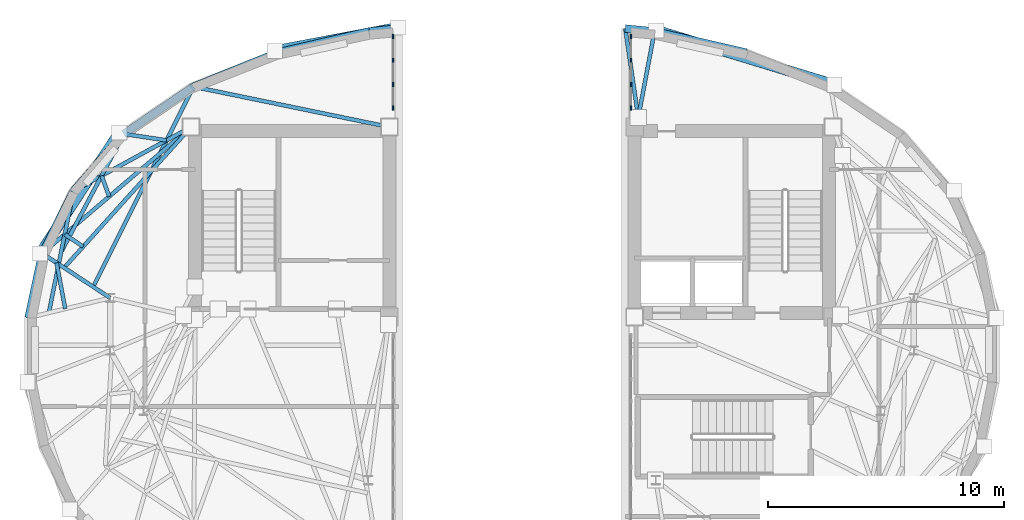
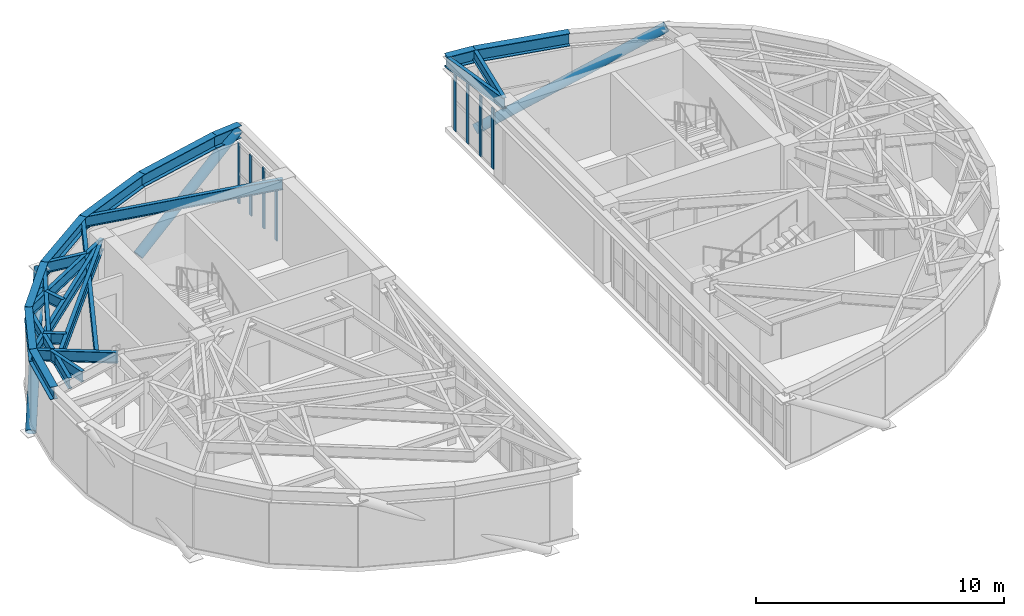
# One storey, part 4 of 13: 23 beams, 11 members, 2 elements without a shape of their own.
"""IFC4 building model written with IfcOpenShell, lengths in metres."""

from ifc_helpers import new_model, si_unit, direction, frame, origin, origin_2d, place, context, subcontext, project, spatial, rectangle, hollow_circle, i_section, extrude, material, layer, layer_set, material_profile, profile_set, type_object, element, aggregate, save


model = new_model("IFC4")

# Units and contexts
model_context = context("Model", 3, precision=1e-05, world=origin(), true_north=direction((0.0, 1.0)))
body_context = subcontext(model_context, "Body", "Model", "MODEL_VIEW")
ifc_project = project(units=[si_unit("LENGTHUNIT", "METRE"), si_unit("AREAUNIT", "SQUARE_METRE"), si_unit("VOLUMEUNIT", "CUBIC_METRE"), si_unit("PLANEANGLEUNIT", "RADIAN"), si_unit("MASSUNIT", "GRAM", prefix="KILO")], contexts=[model_context])

# Site, building, storey
site_placement = place(None, origin())
site = spatial("IfcSite", under=ifc_project, at=site_placement, CompositionType="ELEMENT")
building_placement = place(site_placement, origin())
building = spatial("IfcBuilding", under=site, at=building_placement, Name="Keldmark Tower", CompositionType="ELEMENT")
storey_placement = place(building_placement, frame((0.0, 0.0, 273.0)))
storey = spatial("IfcBuildingStorey", under=building, at=storey_placement, Name="L77", CompositionType="ELEMENT", Elevation=273.0)

# Members
ifc_material_1 = material(Name="Steel ASTM A572 Grade 50", Category="steel")
ifc_material_profile_1 = material_profile(ifc_material_1, hollow_circle(Radius=0.22509765625, WallThickness=0.02197265625, at=origin_2d()), Name="CHS450X22")
ifc_profile_set_1 = profile_set([ifc_material_profile_1], Name="Steel ASTM A572 Grade 50")
member_type_1 = type_object("IfcMemberType", Name="Crown Frame Brace CHS450X22", PredefinedType="USERDEFINED", material=ifc_profile_set_1)
member_1_placement = place(storey_placement, frame((6.11083984375, 13.546875, -0.449951171875), z_axis=(0.862009425212, -0.26306236092, 0.433287370129), x_axis=(0.291884229528, 0.956453656249, 0.0)))
element("IfcMember", 1, at=member_1_placement, inside=storey, type_object=member_type_1, Name="L77 Crown Frame Diagonal E00", ObjectType="CROWN FRAME", PredefinedType="USERDEFINED", context=body_context, shape_type="SweptSolid", body=[
    extrude(hollow_circle(Radius=0.22509765625, WallThickness=0.02197265625, at=origin_2d()), origin(), (0.0, 0.0, 1.0), 8.770263671875),
])
member_2_placement = place(storey_placement, frame((-19.99658203125, 4.092041015625, -0.449951171875), z_axis=(0.465706241681, 0.710802312588, 0.527141128046), x_axis=(-0.836456719746, 0.548032988051, 0.0)))
element("IfcMember", 2, at=member_2_placement, inside=storey, type_object=member_type_1, Name="L77 Crown Frame Diagonal W08", ObjectType="CROWN FRAME", PredefinedType="USERDEFINED", context=body_context, shape_type="SweptSolid", body=[
    extrude(hollow_circle(Radius=0.22509765625, WallThickness=0.02197265625, at=origin_2d()), origin(), (0.0, 0.0, 1.0), 7.208740234375),
])
member_3_placement = place(storey_placement, frame((-10.05078125, 12.676513671875, -0.449951171875), z_axis=(0.799038522357, 0.15130586281, 0.581931246514), x_axis=(-0.186053609317, 0.982539594347, 0.0)))
element("IfcMember", 3, at=member_3_placement, inside=storey, type_object=member_type_1, Name="L77 Crown Frame Diagonal W12", ObjectType="CROWN FRAME", PredefinedType="USERDEFINED", context=body_context, shape_type="SweptSolid", body=[
    extrude(hollow_circle(Radius=0.22509765625, WallThickness=0.02197265625, at=origin_2d()), origin(), (0.0, 0.0, 1.0), 6.530029296875),
])

# Curtain wall, members
ifc_material_2 = material(Name="Unitized Thermally Broken Aluminum and Triple Low-E Glazing", Category="aluminium")
ifc_layer = layer(ifc_material_2, 0.219970703125)
ifc_layer_set = layer_set([ifc_layer], Name="Unitized Thermally Broken Aluminum and Triple Low-E Glazing")
curtain_wall_type = type_object("IfcCurtainWallType", Name="Split-Top Crown Lantern Curtain Wall System", PredefinedType="NOTDEFINED", material=ifc_layer_set)
curtain_wall_1_placement = place(storey_placement, origin())
curtain_wall_1 = element("IfcCurtainWall", 4, at=curtain_wall_1_placement, inside=storey, type_object=curtain_wall_type, Name="L77 Split-Top Crown Lantern Curtain Wall System CW-L77-ES14-0", PredefinedType="NOTDEFINED")
ifc_material_3 = material(Name="Extruded Aluminum Alloy 6063-T6", Category="aluminium")
ifc_material_profile_2 = material_profile(ifc_material_3, rectangle(XDim=0.06005859375, YDim=0.179931640625, at=origin_2d()), Name="CWM60X180")
ifc_profile_set_2 = profile_set([ifc_material_profile_2], Name="Extruded Aluminum Alloy 6063-T6")
member_type_2 = type_object("IfcMemberType", Name="Curtain Wall Structural Mullion 60x180", PredefinedType="MULLION", material=ifc_profile_set_2)
member_4_placement = place(storey_placement, frame((5.0400390625, 13.281982421875, 0.0), z_axis=(0.0, 0.0, 1.0), x_axis=(1.0, 0.0, 0.0)))
member_4 = element("IfcMember", 5, at=member_4_placement, type_object=member_type_2, Name="CW mullion 1", PredefinedType="MULLION", context=body_context, shape_type="SweptSolid", body=[
    extrude(rectangle(XDim=0.06005859375, YDim=0.179931640625, at=origin_2d()), origin(), (0.0, 0.0, 1.0), 2.966064453125),
])
member_5_placement = place(storey_placement, frame((5.0400390625, 12.2841796875, 0.0), z_axis=(0.0, 0.0, 1.0), x_axis=(1.0, 0.0, 0.0)))
member_5 = element("IfcMember", 6, at=member_5_placement, type_object=member_type_2, Name="CW mullion 2", PredefinedType="MULLION", context=body_context, shape_type="SweptSolid", body=[
    extrude(rectangle(XDim=0.06005859375, YDim=0.179931640625, at=origin_2d()), origin(), (0.0, 0.0, 1.0), 2.966064453125),
])
member_6_placement = place(storey_placement, frame((5.0400390625, 11.25634765625, 0.0), z_axis=(0.0, 0.0, 1.0), x_axis=(1.0, 0.0, 0.0)))
member_6 = element("IfcMember", 7, at=member_6_placement, type_object=member_type_2, Name="CW mullion 3", PredefinedType="MULLION", context=body_context, shape_type="SweptSolid", body=[
    extrude(rectangle(XDim=0.06005859375, YDim=0.179931640625, at=origin_2d()), origin(), (0.0, 0.0, 1.0), 2.966064453125),
])
member_7_placement = place(storey_placement, frame((5.0400390625, 10.258544921875, 0.0), z_axis=(0.0, 0.0, 1.0), x_axis=(1.0, 0.0, 0.0)))
member_7 = element("IfcMember", 8, at=member_7_placement, type_object=member_type_2, Name="CW mullion 4", PredefinedType="MULLION", context=body_context, shape_type="SweptSolid", body=[
    extrude(rectangle(XDim=0.06005859375, YDim=0.179931640625, at=origin_2d()), origin(), (0.0, 0.0, 1.0), 2.966064453125),
])
aggregate(curtain_wall_1, [member_4, member_5, member_6, member_7])

curtain_wall_2_placement = place(storey_placement, origin())
curtain_wall_2 = element("IfcCurtainWall", 9, at=curtain_wall_2_placement, inside=storey, type_object=curtain_wall_type, Name="L77 Split-Top Crown Lantern Curtain Wall System CW-L77-WS14-1", PredefinedType="NOTDEFINED")
member_8_placement = place(storey_placement, frame((-5.0400390625, 10.258544921875, 0.0), z_axis=(0.0, 0.0, 1.0), x_axis=(-1.0, 0.0, 0.0)))
member_8 = element("IfcMember", 10, at=member_8_placement, type_object=member_type_2, Name="CW mullion 1", PredefinedType="MULLION", context=body_context, shape_type="SweptSolid", body=[
    extrude(rectangle(XDim=0.06005859375, YDim=0.179931640625, at=origin_2d()), origin(), (0.0, 0.0, 1.0), 2.966064453125),
])
member_9_placement = place(storey_placement, frame((-5.0400390625, 11.25634765625, 0.0), z_axis=(0.0, 0.0, 1.0), x_axis=(-1.0, 0.0, 0.0)))
member_9 = element("IfcMember", 11, at=member_9_placement, type_object=member_type_2, Name="CW mullion 2", PredefinedType="MULLION", context=body_context, shape_type="SweptSolid", body=[
    extrude(rectangle(XDim=0.06005859375, YDim=0.179931640625, at=origin_2d()), origin(), (0.0, 0.0, 1.0), 2.966064453125),
])
member_10_placement = place(storey_placement, frame((-5.0400390625, 12.2841796875, 0.0), z_axis=(0.0, 0.0, 1.0), x_axis=(-1.0, 0.0, 0.0)))
member_10 = element("IfcMember", 12, at=member_10_placement, type_object=member_type_2, Name="CW mullion 3", PredefinedType="MULLION", context=body_context, shape_type="SweptSolid", body=[
    extrude(rectangle(XDim=0.06005859375, YDim=0.179931640625, at=origin_2d()), origin(), (0.0, 0.0, 1.0), 2.966064453125),
])
member_11_placement = place(storey_placement, frame((-5.0400390625, 13.281982421875, 0.0), z_axis=(0.0, 0.0, 1.0), x_axis=(-1.0, 0.0, 0.0)))
member_11 = element("IfcMember", 13, at=member_11_placement, type_object=member_type_2, Name="CW mullion 4", PredefinedType="MULLION", context=body_context, shape_type="SweptSolid", body=[
    extrude(rectangle(XDim=0.06005859375, YDim=0.179931640625, at=origin_2d()), origin(), (0.0, 0.0, 1.0), 2.966064453125),
])
aggregate(curtain_wall_2, [member_8, member_9, member_10, member_11])

# Beams
ifc_material_4 = material(Name="Steel ASTM A992 Grade 50", Category="steel")
ifc_material_profile_3 = material_profile(ifc_material_4, i_section(OverallWidth=0.166015625, OverallDepth=0.529052734375, WebThickness=0.009765625, FlangeThickness=0.013671875, at=origin_2d()), Name="W21X50")
ifc_profile_set_3 = profile_set([ifc_material_profile_3], Name="Steel ASTM A992 Grade 50")
beam_type_1 = type_object("IfcBeamType", Name="Radial Tie Girder W21X50", PredefinedType="BEAM", material=ifc_profile_set_3)
beam_1_placement = place(storey_placement, frame((5.35009765625, 9.85009765625, 3.33544921875), z_axis=(0.185046281298, 0.982729807108, 0.0), x_axis=(-0.982729807108, 0.185046281298, 0.0)))
element("IfcBeam", 14, at=beam_1_placement, inside=storey, type_object=beam_type_1, Name="L77 East Crown Shear-Wall Bracket CRT-E01G", PredefinedType="BEAM", context=body_context, shape_type="SweptSolid", body=[
    extrude(i_section(OverallWidth=0.166015625, OverallDepth=0.529052734375, WebThickness=0.009765625, FlangeThickness=0.013671875, at=origin_2d()), origin(), (0.0, 0.0, 1.0), 3.71533203125),
])
beam_2_placement = place(storey_placement, frame((5.35009765625, 9.85009765625, 3.33544921875), z_axis=(-0.144244202861, 0.989542121358, 0.0), x_axis=(-0.989542121358, -0.144244202861, 0.0)))
element("IfcBeam", 15, at=beam_2_placement, inside=storey, type_object=beam_type_1, Name="L77 East Crown Shear-Wall Bracket CRT-E16G", PredefinedType="BEAM", context=body_context, shape_type="SweptSolid", body=[
    extrude(i_section(OverallWidth=0.166015625, OverallDepth=0.529052734375, WebThickness=0.009765625, FlangeThickness=0.013671875, at=origin_2d()), origin(), (0.0, 0.0, 1.0), 3.813232421875),
])
beam_3_placement = place(storey_placement, frame((-17.025634765625, 2.2080078125, 3.33544921875), z_axis=(-0.836152632855, 0.548496831869, 0.0), x_axis=(-0.548496831869, -0.836152632855, 0.0)))
element("IfcBeam", 16, at=beam_3_placement, inside=storey, type_object=beam_type_1, Name="L77 Perimeter Column Bracket CRT-W09", PredefinedType="BEAM", context=body_context, shape_type="SweptSolid", body=[
    extrude(i_section(OverallWidth=0.166015625, OverallDepth=0.529052734375, WebThickness=0.009765625, FlangeThickness=0.013671875, at=origin_2d()), origin(), (0.0, 0.0, 1.0), 3.441650390625),
])
beam_4_placement = place(storey_placement, frame((-18.930419921875, 1.74658203125, 3.33544921875), z_axis=(-0.184154840566, 0.982897245238, 0.0), x_axis=(-0.982897245238, -0.184154840566, 0.0)))
element("IfcBeam", 17, at=beam_4_placement, inside=storey, type_object=beam_type_1, Name="L77 Framing Pin Header PH-015", PredefinedType="BEAM", context=body_context, shape_type="SweptSolid", body=[
    extrude(i_section(OverallWidth=0.166015625, OverallDepth=0.529052734375, WebThickness=0.009765625, FlangeThickness=0.013671875, at=origin_2d()), origin(), (0.0, 0.0, 1.0), 1.984619140625),
])
beam_5_placement = place(storey_placement, frame((-13.60009765625, 9.449951171875, 3.33544921875), z_axis=(-0.66972043642, -0.74261331596, 0.0), x_axis=(0.74261331596, -0.66972043642, 0.0)))
element("IfcBeam", 18, at=beam_5_placement, inside=storey, type_object=beam_type_1, Name="L77 Framing Pin Header PH-016", PredefinedType="BEAM", context=body_context, shape_type="SweptSolid", body=[
    extrude(i_section(OverallWidth=0.166015625, OverallDepth=0.529052734375, WebThickness=0.009765625, FlangeThickness=0.013671875, at=origin_2d()), origin(), (0.0, 0.0, 1.0), 8.0283203125),
])
beam_6_placement = place(storey_placement, frame((-13.60009765625, 9.449951171875, 3.33544921875), z_axis=(-0.762147589353, -0.647403314823, 0.0), x_axis=(0.647403314823, -0.762147589353, 0.0)))
element("IfcBeam", 19, at=beam_6_placement, inside=storey, type_object=beam_type_1, Name="L77 Straddling Support Chord CRT-W10RB", PredefinedType="BEAM", context=body_context, shape_type="SweptSolid", body=[
    extrude(i_section(OverallWidth=0.166015625, OverallDepth=0.529052734375, WebThickness=0.009765625, FlangeThickness=0.013671875, at=origin_2d()), origin(), (0.0, 0.0, 1.0), 8.270263671875),
])
beam_7_placement = place(storey_placement, frame((-18.17041015625, 4.38232421875, 3.33544921875), z_axis=(-0.83092864068, 0.556379002208, 0.0), x_axis=(-0.556379002208, -0.83092864068, 0.0)))
element("IfcBeam", 20, at=beam_7_placement, inside=storey, type_object=beam_type_1, Name="L77 Framing Pin Header PH-022", PredefinedType="BEAM", context=body_context, shape_type="SweptSolid", body=[
    extrude(i_section(OverallWidth=0.166015625, OverallDepth=0.529052734375, WebThickness=0.009765625, FlangeThickness=0.013671875, at=origin_2d()), origin(), (0.0, 0.0, 1.0), 0.93896484375),
])
beam_8_placement = place(storey_placement, frame((-19.623291015625, 1.57861328125, 3.33544921875), z_axis=(0.19823005223, 0.980155521534, 0.0), x_axis=(-0.980155521534, 0.19823005223, 0.0)))
element("IfcBeam", 21, at=beam_8_placement, inside=storey, type_object=beam_type_1, Name="L77 Perimeter Radial Tie Girder CRT-W10R", PredefinedType="BEAM", context=body_context, shape_type="SweptSolid", body=[
    extrude(i_section(OverallWidth=0.166015625, OverallDepth=0.529052734375, WebThickness=0.009765625, FlangeThickness=0.013671875, at=origin_2d()), origin(), (0.0, 0.0, 1.0), 5.2626953125),
])
beam_9_placement = place(storey_placement, frame((-13.60009765625, 9.449951171875, 3.33544921875), z_axis=(-0.87813402133, -0.478414716102, 0.0), x_axis=(0.478414716102, -0.87813402133, 0.0)))
element("IfcBeam", 22, at=beam_9_placement, inside=storey, type_object=beam_type_1, Name="L77 Straddling Support Chord CRT-W11RB", PredefinedType="BEAM", context=body_context, shape_type="SweptSolid", body=[
    extrude(i_section(OverallWidth=0.166015625, OverallDepth=0.529052734375, WebThickness=0.009765625, FlangeThickness=0.013671875, at=origin_2d()), origin(), (0.0, 0.0, 1.0), 5.671142578125),
])
beam_10_placement = place(storey_placement, frame((-17.06689453125, 6.505126953125, 3.33544921875), z_axis=(-0.342662789277, 0.939458467866, 0.0), x_axis=(-0.939458467866, -0.342662789277, 0.0)))
element("IfcBeam", 23, at=beam_10_placement, inside=storey, type_object=beam_type_1, Name="L77 Framing Pin Header PH-023", PredefinedType="BEAM", context=body_context, shape_type="SweptSolid", body=[
    extrude(i_section(OverallWidth=0.166015625, OverallDepth=0.529052734375, WebThickness=0.009765625, FlangeThickness=0.013671875, at=origin_2d()), origin(), (0.0, 0.0, 1.0), 0.937744140625),
])
beam_11_placement = place(storey_placement, frame((-19.1015625, 4.15771484375, 3.33544921875), z_axis=(0.468771448271, 0.883319494456, 0.0), x_axis=(-0.883319494456, 0.468771448271, 0.0)))
element("IfcBeam", 24, at=beam_11_placement, inside=storey, type_object=beam_type_1, Name="L77 Perimeter Radial Tie Girder CRT-W11R", PredefinedType="BEAM", context=body_context, shape_type="SweptSolid", body=[
    extrude(i_section(OverallWidth=0.166015625, OverallDepth=0.529052734375, WebThickness=0.009765625, FlangeThickness=0.013671875, at=origin_2d()), origin(), (0.0, 0.0, 1.0), 5.65966796875),
])
beam_12_placement = place(storey_placement, frame((-16.448486328125, 9.156982421875, 3.33544921875), z_axis=(0.988913854124, -0.148490367097, 0.0), x_axis=(0.148490367097, 0.988913854124, 0.0)))
element("IfcBeam", 25, at=beam_12_placement, inside=storey, type_object=beam_type_1, Name="L77 Framing Pin Header PH-024", PredefinedType="BEAM", context=body_context, shape_type="SweptSolid", body=[
    extrude(i_section(OverallWidth=0.166015625, OverallDepth=0.529052734375, WebThickness=0.009765625, FlangeThickness=0.013671875, at=origin_2d()), origin(), (0.0, 0.0, 1.0), 1.83154296875),
])
beam_13_placement = place(storey_placement, frame((-17.7451171875, 2.679931640625, 3.33544921875), z_axis=(0.447841745889, 0.894112839992, 0.0), x_axis=(-0.894112839992, 0.447841745889, 0.0)))
element("IfcBeam", 26, at=beam_13_placement, inside=storey, type_object=beam_type_1, Name="L77 Perimeter Radial Tie Girder CRT-W12R", PredefinedType="BEAM", context=body_context, shape_type="SweptSolid", body=[
    extrude(i_section(OverallWidth=0.166015625, OverallDepth=0.529052734375, WebThickness=0.009765625, FlangeThickness=0.013671875, at=origin_2d()), origin(), (0.0, 0.0, 1.0), 9.481689453125),
])
beam_14_placement = place(storey_placement, frame((-5.199951171875, 9.449951171875, 3.33544921875), z_axis=(-0.979476121271, 0.201560233828, 0.0), x_axis=(-0.201560233828, -0.979476121271, 0.0)))
element("IfcBeam", 27, at=beam_14_placement, inside=storey, type_object=beam_type_1, Name="L77 Straddling Support Chord CRT-W13RB", PredefinedType="BEAM", context=body_context, shape_type="SweptSolid", body=[
    extrude(i_section(OverallWidth=0.166015625, OverallDepth=0.529052734375, WebThickness=0.009765625, FlangeThickness=0.013671875, at=origin_2d()), origin(), (0.0, 0.0, 1.0), 8.47265625),
])
ifc_material_5 = material(Name="Steel ASTM A992 Grade 50", Category="steel")
ifc_material_profile_4 = material_profile(ifc_material_5, i_section(OverallWidth=0.326904296875, OverallDepth=0.6220703125, WebThickness=0.015380859375, FlangeThickness=0.0244140625, at=origin_2d()), Name="W24X131")
ifc_profile_set_4 = profile_set([ifc_material_profile_4], Name="Steel ASTM A992 Grade 50")
beam_type_2 = type_object("IfcBeamType", Name="Spandrel Ring Beam W24X131", PredefinedType="SPANDREL", material=ifc_profile_set_4)
beam_15_placement = place(storey_placement, frame((6.03759765625, 13.501220703125, 3.2890625), z_axis=(0.974451914875, -0.224596227919, 0.0), x_axis=(0.224596227919, 0.974451914875, 0.0)))
element("IfcBeam", 28, at=beam_15_placement, inside=storey, type_object=beam_type_2, Name="L77 Crown Spandrel Ring Beam CRB-E01", PredefinedType="SPANDREL", context=body_context, shape_type="SweptSolid", body=[
    extrude(i_section(OverallWidth=0.326904296875, OverallDepth=0.6220703125, WebThickness=0.015380859375, FlangeThickness=0.0244140625, at=origin_2d()), origin(), (0.0, 0.0, 1.0), 3.995849609375),
])
beam_16_placement = place(storey_placement, frame((4.800048828125, 13.62353515625, 3.2890625), z_axis=(0.995151211897, -0.098356827216, 0.0), x_axis=(0.098356827216, 0.995151211897, 0.0)))
element("IfcBeam", 29, at=beam_16_placement, inside=storey, type_object=beam_type_2, Name="L77 Crown Spandrel Ring Beam CRB-E16", PredefinedType="SPANDREL", context=body_context, shape_type="SweptSolid", body=[
    extrude(i_section(OverallWidth=0.326904296875, OverallDepth=0.6220703125, WebThickness=0.015380859375, FlangeThickness=0.0244140625, at=origin_2d()), origin(), (0.0, 0.0, 1.0), 1.24365234375),
])
beam_17_placement = place(storey_placement, frame((-20.489013671875, 1.368896484375, 3.2890625), z_axis=(0.210001337248, 0.977701098677, 0.0), x_axis=(-0.977701098677, 0.210001337248, 0.0)))
element("IfcBeam", 30, at=beam_17_placement, inside=storey, type_object=beam_type_2, Name="L77 Crown Spandrel Ring Beam CRB-W08", PredefinedType="SPANDREL", context=body_context, shape_type="SweptSolid", body=[
    extrude(i_section(OverallWidth=0.326904296875, OverallDepth=0.6220703125, WebThickness=0.015380859375, FlangeThickness=0.0244140625, at=origin_2d()), origin(), (0.0, 0.0, 1.0), 2.7890625),
])
beam_18_placement = place(storey_placement, frame((-19.9033203125, 4.095703125, 3.2890625), z_axis=(0.447940731501, 0.89406325339, 0.0), x_axis=(-0.89406325339, 0.447940731501, 0.0)))
element("IfcBeam", 31, at=beam_18_placement, inside=storey, type_object=beam_type_2, Name="L77 Crown Spandrel Ring Beam CRB-W09", PredefinedType="SPANDREL", context=body_context, shape_type="SweptSolid", body=[
    extrude(i_section(OverallWidth=0.326904296875, OverallDepth=0.6220703125, WebThickness=0.015380859375, FlangeThickness=0.0244140625, at=origin_2d()), origin(), (0.0, 0.0, 1.0), 2.9541015625),
])
beam_19_placement = place(storey_placement, frame((-18.580078125, 6.73681640625, 3.2890625), z_axis=(0.660950367641, 0.750429617962, 0.0), x_axis=(-0.750429617962, 0.660950367641, 0.0)))
element("IfcBeam", 32, at=beam_19_placement, inside=storey, type_object=beam_type_2, Name="L77 Crown Spandrel Ring Beam CRB-W10", PredefinedType="SPANDREL", context=body_context, shape_type="SweptSolid", body=[
    extrude(i_section(OverallWidth=0.326904296875, OverallDepth=0.6220703125, WebThickness=0.015380859375, FlangeThickness=0.0244140625, at=origin_2d()), origin(), (0.0, 0.0, 1.0), 3.22509765625),
])
beam_20_placement = place(storey_placement, frame((-16.448486328125, 9.156982421875, 3.2890625), z_axis=(0.827587148851, 0.561337252511, 0.0), x_axis=(-0.561337252511, 0.827587148851, 0.0)))
element("IfcBeam", 33, at=beam_20_placement, inside=storey, type_object=beam_type_2, Name="L77 Crown Spandrel Ring Beam CRB-W11", PredefinedType="SPANDREL", context=body_context, shape_type="SweptSolid", body=[
    extrude(i_section(OverallWidth=0.326904296875, OverallDepth=0.6220703125, WebThickness=0.015380859375, FlangeThickness=0.0244140625, at=origin_2d()), origin(), (0.0, 0.0, 1.0), 3.564208984375),
])
beam_21_placement = place(storey_placement, frame((-13.498779296875, 11.15771484375, 3.2890625), z_axis=(0.926756575641, 0.375662414284, 0.0), x_axis=(-0.375662414284, 0.926756575641, 0.0)))
element("IfcBeam", 34, at=beam_21_placement, inside=storey, type_object=beam_type_2, Name="L77 Crown Spandrel Ring Beam CRB-W12", PredefinedType="SPANDREL", context=body_context, shape_type="SweptSolid", body=[
    extrude(i_section(OverallWidth=0.326904296875, OverallDepth=0.6220703125, WebThickness=0.015380859375, FlangeThickness=0.0244140625, at=origin_2d()), origin(), (0.0, 0.0, 1.0), 3.849365234375),
])
beam_22_placement = place(storey_placement, frame((-9.931396484375, 12.603759765625, 3.2890625), z_axis=(0.974451914875, 0.224596227919, 0.0), x_axis=(-0.224596227919, 0.974451914875, 0.0)))
element("IfcBeam", 35, at=beam_22_placement, inside=storey, type_object=beam_type_2, Name="L77 Crown Spandrel Ring Beam CRB-W13", PredefinedType="SPANDREL", context=body_context, shape_type="SweptSolid", body=[
    extrude(i_section(OverallWidth=0.326904296875, OverallDepth=0.6220703125, WebThickness=0.015380859375, FlangeThickness=0.0244140625, at=origin_2d()), origin(), (0.0, 0.0, 1.0), 3.995849609375),
])
beam_23_placement = place(storey_placement, frame((-6.03759765625, 13.501220703125, 3.2890625), z_axis=(0.995151211897, 0.098356827216, 0.0), x_axis=(-0.098356827216, 0.995151211897, 0.0)))
element("IfcBeam", 36, at=beam_23_placement, inside=storey, type_object=beam_type_2, Name="L77 Crown Spandrel Ring Beam CRB-W14", PredefinedType="SPANDREL", context=body_context, shape_type="SweptSolid", body=[
    extrude(i_section(OverallWidth=0.326904296875, OverallDepth=0.6220703125, WebThickness=0.015380859375, FlangeThickness=0.0244140625, at=origin_2d()), origin(), (0.0, 0.0, 1.0), 1.24365234375),
])

save(model, "model.ifc")
